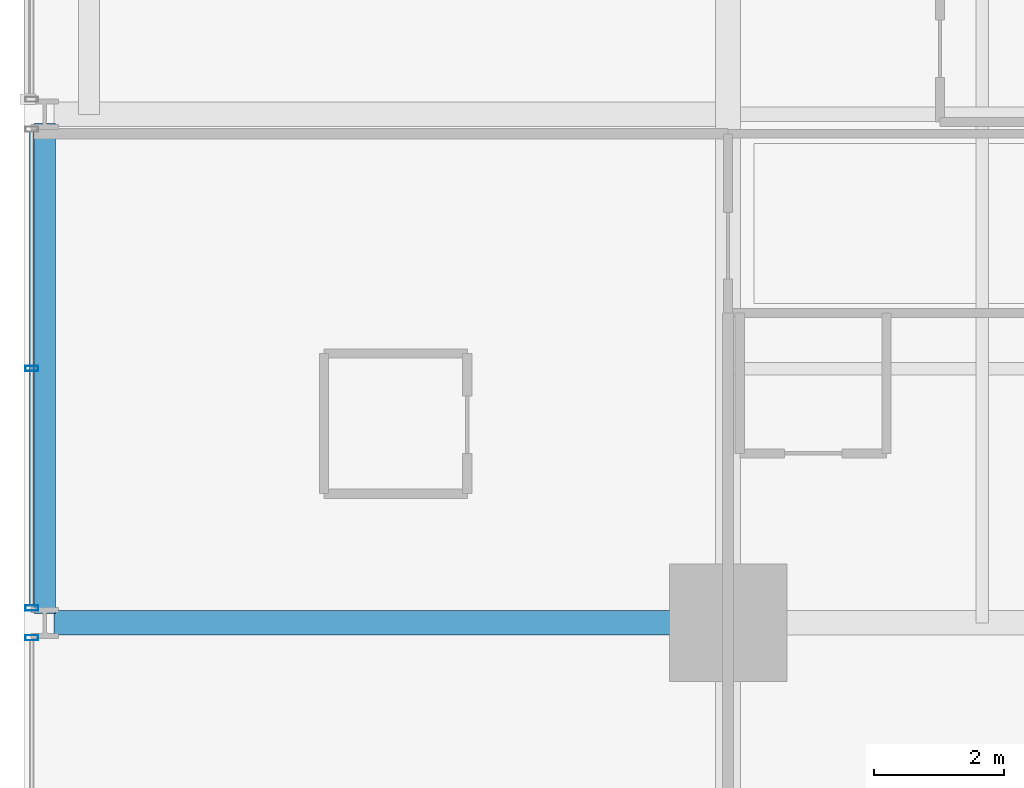
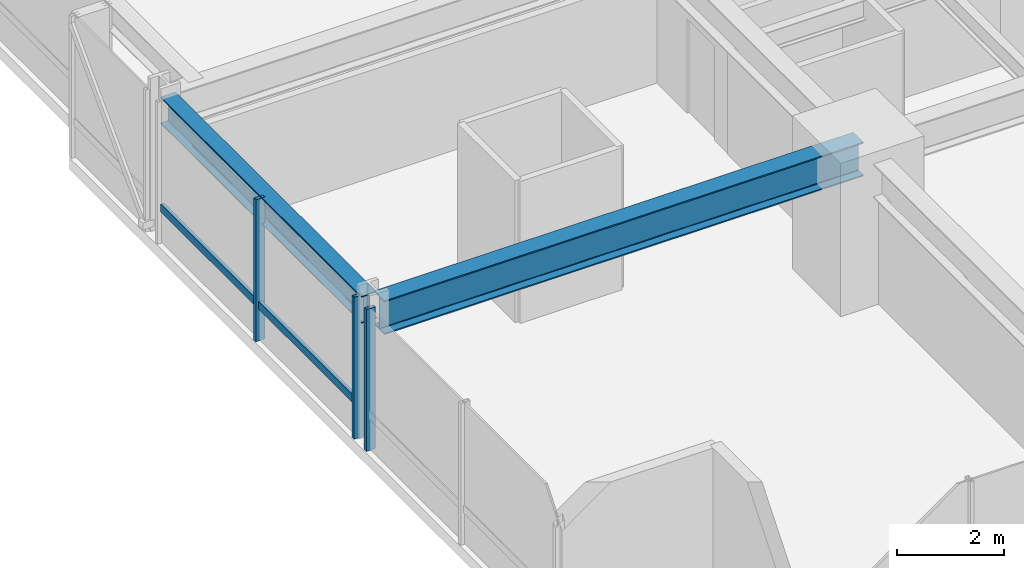
# One storey, part 4 of 38: 4 members, 2 beams, 2 elements without a shape of their own.
"""IFC4 building model written with IfcOpenShell, lengths in metres."""

from ifc_helpers import new_model, si_unit, direction, frame, origin, origin_2d, place, context, subcontext, project, spatial, hollow_rectangle, i_section, extrude, material, layer, layer_set, material_profile, profile_set, type_object, element, aggregate, save


model = new_model("IFC4")

# Units and contexts
model_context = context("Model", 3, precision=1e-05, world=origin(), true_north=direction((0.0, 1.0)))
body_context = subcontext(model_context, "Body", "Model", "MODEL_VIEW")
ifc_project = project(units=[si_unit("LENGTHUNIT", "METRE"), si_unit("AREAUNIT", "SQUARE_METRE"), si_unit("VOLUMEUNIT", "CUBIC_METRE"), si_unit("PLANEANGLEUNIT", "RADIAN"), si_unit("MASSUNIT", "GRAM", prefix="KILO")], contexts=[model_context])

# Site, building, storey
site_placement = place(None, origin())
site = spatial("IfcSite", under=ifc_project, at=site_placement, CompositionType="ELEMENT")
building_placement = place(site_placement, origin())
building = spatial("IfcBuilding", under=site, at=building_placement, Name="Drelvath Grand Hotel", CompositionType="ELEMENT")
storey_placement = place(building_placement, frame((0.0, 0.0, 68.199951171875)))
storey = spatial("IfcBuildingStorey", under=building, at=storey_placement, Name="L16", CompositionType="ELEMENT", Elevation=68.199951171875)

# Curtain wall, member
ifc_material_1 = material(Name="Warm Bronze Anodised Aluminium Frame", Category="aluminium")
ifc_layer = layer(ifc_material_1, 0.199951171875)
ifc_layer_set = layer_set([ifc_layer], Name="Warm Bronze Anodised Aluminium Frame")
curtain_wall_type = type_object("IfcCurtainWallType", Name="Stick Curtain Wall CW-02 Warm Bronze Low-Rise", PredefinedType="NOTDEFINED", material=ifc_layer_set)
curtain_wall_1_placement = place(storey_placement, origin())
curtain_wall_1 = element("IfcCurtainWall", 1, at=curtain_wall_1_placement, inside=storey, type_object=curtain_wall_type, Name="L16 CW-02 Curtain Wall CW02-L16-WS2", PredefinedType="NOTDEFINED")
ifc_material_profile_1 = material_profile(ifc_material_1, hollow_rectangle(XDim=0.074951171875, YDim=0.179931640625, WallThickness=0.0048828125, at=origin_2d()), Name="HSS180X75X5")
ifc_profile_set_1 = profile_set([ifc_material_profile_1], Name="Warm Bronze Anodised Aluminium Frame")
member_type_1 = type_object("IfcMemberType", Name="Curtain Wall Horizontal Transom CW-02 HSS180X75X5", PredefinedType="USERDEFINED", material=ifc_profile_set_1)
member_1_placement = place(storey_placement, frame((-26.8798828125, 11.069091796875, 0.81005859375), z_axis=(0.0, 1.0, 0.0), x_axis=(-1.0, 0.0, 0.0)))
member_1 = element("IfcMember", 2, at=member_1_placement, type_object=member_type_1, Name="CW02-L16-WS2 Sill Transom", ObjectType="TRANSOM", PredefinedType="USERDEFINED", context=body_context, shape_type="SweptSolid", body=[
    extrude(hollow_rectangle(XDim=0.074951171875, YDim=0.179931640625, WallThickness=0.0048828125, at=origin_2d()), origin(), (0.0, 0.0, 1.0), 7.26171875),
])

curtain_wall_2_placement = place(storey_placement, origin())
curtain_wall_2 = element("IfcCurtainWall", 3, at=curtain_wall_2_placement, inside=storey, type_object=curtain_wall_type, Name="L16 CW-02 Curtain Wall CW02-L16-WS1", PredefinedType="NOTDEFINED")
ifc_material_profile_2 = material_profile(ifc_material_1, hollow_rectangle(XDim=0.080078125, YDim=0.199951171875, WallThickness=0.0048828125, at=origin_2d()), Name="HSS200X80X5")
ifc_profile_set_2 = profile_set([ifc_material_profile_2], Name="Warm Bronze Anodised Aluminium Frame")
member_type_2 = type_object("IfcMemberType", Name="Curtain Wall Vertical Mullion CW-02 HSS200X80X5", PredefinedType="MULLION", material=ifc_profile_set_2)
member_2_placement = place(storey_placement, frame((-26.8798828125, 10.57080078125, 0.0), z_axis=(0.0, 0.0, 1.0), x_axis=(0.0, 1.0, 0.0)))
member_2 = element("IfcMember", 4, at=member_2_placement, type_object=member_type_2, Name="CW02-L16-WS1 Mullion 3", PredefinedType="MULLION", context=body_context, shape_type="SweptSolid", body=[
    extrude(hollow_rectangle(XDim=0.080078125, YDim=0.199951171875, WallThickness=0.0048828125, at=origin_2d()), origin(), (0.0, 0.0, 1.0), 3.239990234375),
])
aggregate(curtain_wall_2, [member_2])

# Member
member_3_placement = place(storey_placement, frame((-26.8798828125, 11.029052734375, 0.0), z_axis=(0.0, 0.0, 1.0), x_axis=(0.0, 1.0, 0.0)))
member_3 = element("IfcMember", 5, at=member_3_placement, type_object=member_type_2, Name="CW02-L16-WS2 Mullion 1", PredefinedType="MULLION", context=body_context, shape_type="SweptSolid", body=[
    extrude(hollow_rectangle(XDim=0.080078125, YDim=0.199951171875, WallThickness=0.0048828125, at=origin_2d()), origin(), (0.0, 0.0, 1.0), 3.239990234375),
])

member_4_placement = place(storey_placement, frame((-26.8798828125, 14.699951171875, 0.0), z_axis=(0.0, 0.0, 1.0), x_axis=(0.0, 1.0, 0.0)))
member_4 = element("IfcMember", 6, at=member_4_placement, type_object=member_type_2, Name="CW02-L16-WS2 Mullion 2", PredefinedType="MULLION", context=body_context, shape_type="SweptSolid", body=[
    extrude(hollow_rectangle(XDim=0.080078125, YDim=0.199951171875, WallThickness=0.0048828125, at=origin_2d()), origin(), (0.0, 0.0, 1.0), 3.239990234375),
])

aggregate(curtain_wall_1, [member_3, member_4, member_1])

# Beams
ifc_material_2 = material(Name="Steel ASTM A992 Gr 50", Category="steel")
ifc_material_profile_3 = material_profile(ifc_material_2, i_section(OverallWidth=0.323974609375, OverallDepth=0.611083984375, WebThickness=0.0126953125, FlangeThickness=0.01904296875, FilletRadius=0.02197265625, at=origin_2d()), Name="W24X104")
ifc_profile_set_3 = profile_set([ifc_material_profile_3], Name="Steel ASTM A992 Gr 50")
beam_type_1 = type_object("IfcBeamType", Name="Perimeter Spandrel Beam W24X104", PredefinedType="SPANDREL", material=ifc_profile_set_3)
beam_1_placement = place(storey_placement, frame((-26.679931640625, 10.93994140625, 2.9345703125), z_axis=(0.0, 1.0, 0.0), x_axis=(-1.0, 0.0, 0.0)))
element("IfcBeam", 7, at=beam_1_placement, inside=storey, type_object=beam_type_1, Name="L16 Spandrel West S", PredefinedType="SPANDREL", context=body_context, shape_type="SweptSolid", body=[
    extrude(i_section(OverallWidth=0.323974609375, OverallDepth=0.611083984375, WebThickness=0.0126953125, FlangeThickness=0.01904296875, FilletRadius=0.02197265625, at=origin_2d()), origin(), (0.0, 0.0, 1.0), 7.52001953125),
])
ifc_material_profile_4 = material_profile(ifc_material_2, i_section(OverallWidth=0.380615234375, OverallDepth=0.773193359375, WebThickness=0.0166015625, FlangeThickness=0.027099609375, FilletRadius=0.02490234375, at=origin_2d()), Name="W30X173")
ifc_profile_set_4 = profile_set([ifc_material_profile_4], Name="Steel ASTM A992 Gr 50")
beam_type_2 = type_object("IfcBeamType", Name="Primary Floor Girder W30X173", PredefinedType="BEAM", material=ifc_profile_set_4)
beam_2_placement = place(storey_placement, frame((-26.5400390625, 10.800048828125, 2.853515625), z_axis=(1.0, 0.0, 0.0), x_axis=(0.0, 1.0, 0.0)))
element("IfcBeam", 8, at=beam_2_placement, inside=storey, type_object=beam_type_2, Name="L16 West Grid Girder C", PredefinedType="BEAM", context=body_context, shape_type="SweptSolid", body=[
    extrude(i_section(OverallWidth=0.380615234375, OverallDepth=0.773193359375, WebThickness=0.0166015625, FlangeThickness=0.027099609375, FilletRadius=0.02490234375, at=origin_2d()), origin(), (0.0, 0.0, 1.0), 10.340087890625),
])

save(model, "model.ifc")
